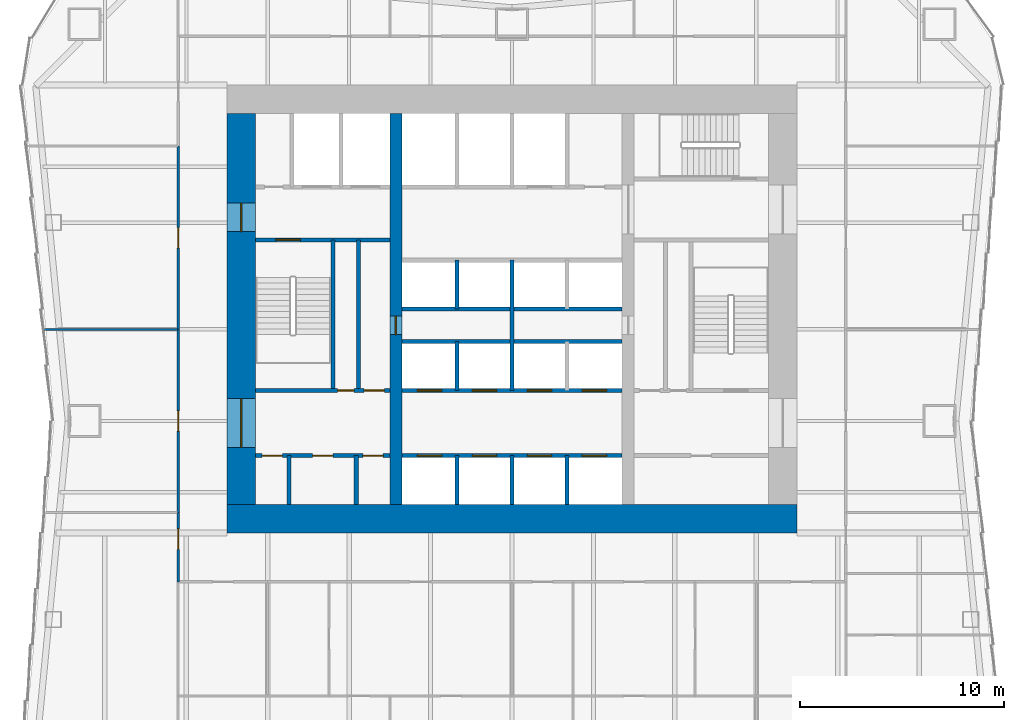
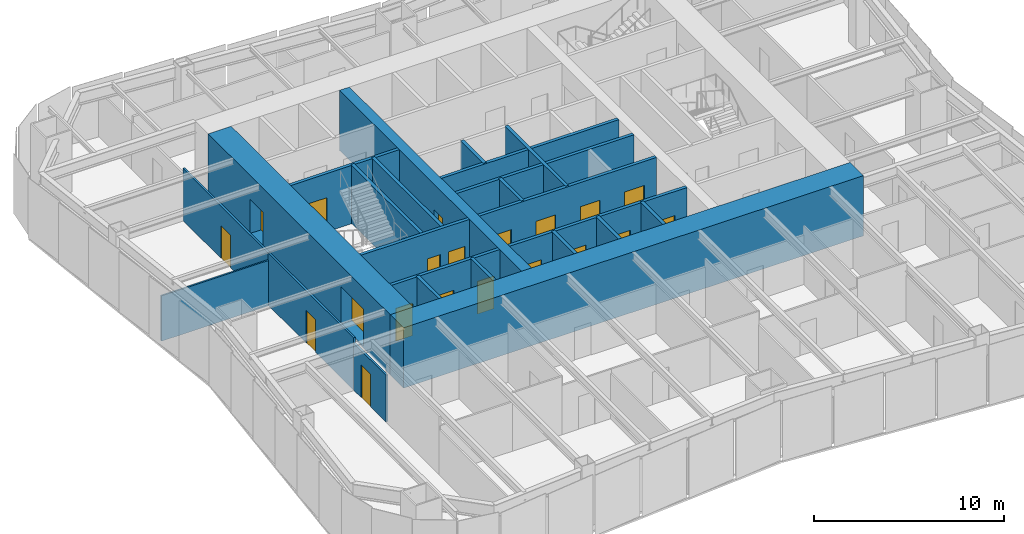
# One storey, part 4 of 7: 24 walls, 20 doors, 20 openings.
"""IFC4 building model written with IfcOpenShell, lengths in metres."""

from ifc_helpers import new_model, si_unit, direction, frame, frame_2d, origin, place, context, subcontext, project, spatial, rectangle, extrude, material, layer, layer_set, type_object, element, fill, save


model = new_model("IFC4")

# Units and contexts
model_context = context("Model", 3, precision=1e-05, world=origin(), true_north=direction((0.0, 1.0)))
body_context = subcontext(model_context, "Body", "Model", "MODEL_VIEW")
ifc_project = project(units=[si_unit("LENGTHUNIT", "METRE"), si_unit("AREAUNIT", "SQUARE_METRE"), si_unit("VOLUMEUNIT", "CUBIC_METRE"), si_unit("PLANEANGLEUNIT", "RADIAN"), si_unit("MASSUNIT", "GRAM", prefix="KILO")], contexts=[model_context])

# Site, building, storey
site_placement = place(None, origin())
site = spatial("IfcSite", under=ifc_project, at=site_placement, CompositionType="ELEMENT")
building_placement = place(site_placement, origin())
building = spatial("IfcBuilding", under=site, at=building_placement, Name="Verdant Reach Tower", CompositionType="ELEMENT")
storey_placement = place(building_placement, frame((0.0, 0.0, 54.0)))
storey = spatial("IfcBuildingStorey", under=building, at=storey_placement, Name="L12", CompositionType="ELEMENT", Elevation=54.0)

# Wall, openings, doors
ifc_material_1 = material(Name="Gypsum board on steel studs", Category="steel")
ifc_layer_1 = layer(ifc_material_1, 0.199951171875)
ifc_layer_set_1 = layer_set([ifc_layer_1], Name="CO-WALL-ROOM")
wall_type_1 = type_object("IfcWallType", Name="CO-WALL-ROOM", PredefinedType="PARTITIONING", material=ifc_layer_set_1)
wall_1_placement = place(storey_placement, frame((-12.60009765625, 20.800048828125, 0.0), z_axis=(0.0, 0.0, 1.0), x_axis=(1.0, 0.0, 0.0)))
wall_1 = element("IfcWall", 1, at=wall_1_placement, inside=storey, type_object=wall_type_1, Name="Core partition, L12", PredefinedType="PARTITIONING", context=body_context, shape_type="SweptSolid", body=[
    extrude(rectangle(XDim=6.60009765625, YDim=0.199951171875, at=frame_2d((3.300048828125, 0.0))), origin(), (0.0, 0.0, 1.0), 3.75),
])
opening_1_placement = place(wall_1_placement, frame((0.324951171875, 0.0, 0.0)))
opening_1 = element("IfcOpeningElement", 2, at=opening_1_placement, cuts=wall_1, Name="Opening CD", PredefinedType="OPENING", context=body_context, shape_type="SweptSolid", body=[
    extrude(rectangle(XDim=1.0, YDim=2.10009765625, at=frame_2d((0.5, 1.050048828125))), frame((0.0, 0.10986328125, 0.0), z_axis=(0.0, -1.0, 0.0), x_axis=(1.0, 0.0, 0.0)), (0.0, 0.0, 1.0), 0.219970703125),
])
opening_2_placement = place(wall_1_placement, frame((2.800048828125, 0.0, 0.0)))
opening_2 = element("IfcOpeningElement", 3, at=opening_2_placement, cuts=wall_1, Name="Opening CD", PredefinedType="OPENING", context=body_context, shape_type="SweptSolid", body=[
    extrude(rectangle(XDim=1.0, YDim=2.10009765625, at=frame_2d((0.5, 1.050048828125))), frame((0.0, 0.10986328125, 0.0), z_axis=(0.0, -1.0, 0.0), x_axis=(1.0, 0.0, 0.0)), (0.0, 0.0, 1.0), 0.219970703125),
])
opening_3_placement = place(wall_1_placement, frame((5.27490234375, 0.0, 0.0)))
opening_3 = element("IfcOpeningElement", 4, at=opening_3_placement, cuts=wall_1, Name="Opening CD", PredefinedType="OPENING", context=body_context, shape_type="SweptSolid", body=[
    extrude(rectangle(XDim=1.0, YDim=2.10009765625, at=frame_2d((0.5, 1.050048828125))), frame((0.0, 0.10986328125, 0.0), z_axis=(0.0, -1.0, 0.0), x_axis=(1.0, 0.0, 0.0)), (0.0, 0.0, 1.0), 0.219970703125),
])
ifc_material_2 = material(Name="Timber", Category="wood")
door_type_1 = type_object("IfcDoorType", Name="CO-DOOR-ROOM", OperationType="NOTDEFINED", PredefinedType="DOOR", material=ifc_material_2)
door_1_placement = place(opening_1_placement, origin())
door_1 = element("IfcDoor", 5, at=door_1_placement, inside=storey, type_object=door_type_1, Name="Core room door, L12", OperationType="SINGLE_SWING_RIGHT", OverallHeight=2.10009765625, OverallWidth=1.0, PredefinedType="DOOR", context=body_context, shape_type="SweptSolid", body=[
    extrude(rectangle(XDim=1.0, YDim=2.10009765625, at=frame_2d((0.5, 1.050048828125))), frame((0.0, 0.02490234375, 0.0), z_axis=(0.0, -1.0, 0.0), x_axis=(1.0, 0.0, 0.0)), (0.0, 0.0, 1.0), 0.050048828125),
])
fill(opening_1, door_1)
door_2_placement = place(opening_2_placement, origin())
door_2 = element("IfcDoor", 6, at=door_2_placement, inside=storey, type_object=door_type_1, Name="Core room door, L12", OperationType="SINGLE_SWING_RIGHT", OverallHeight=2.10009765625, OverallWidth=1.0, PredefinedType="DOOR", context=body_context, shape_type="SweptSolid", body=[
    extrude(rectangle(XDim=1.0, YDim=2.10009765625, at=frame_2d((0.5, 1.050048828125))), frame((0.0, 0.02490234375, 0.0), z_axis=(0.0, -1.0, 0.0), x_axis=(1.0, 0.0, 0.0)), (0.0, 0.0, 1.0), 0.050048828125),
])
fill(opening_2, door_2)
door_3_placement = place(opening_3_placement, origin())
door_3 = element("IfcDoor", 7, at=door_3_placement, inside=storey, type_object=door_type_1, Name="Core room door, L12", OperationType="SINGLE_SWING_RIGHT", OverallHeight=2.10009765625, OverallWidth=1.0, PredefinedType="DOOR", context=body_context, shape_type="SweptSolid", body=[
    extrude(rectangle(XDim=1.0, YDim=2.10009765625, at=frame_2d((0.5, 1.050048828125))), frame((0.0, 0.02490234375, 0.0), z_axis=(0.0, -1.0, 0.0), x_axis=(1.0, 0.0, 0.0)), (0.0, 0.0, 1.0), 0.050048828125),
])
fill(opening_3, door_3)

# Walls
for number, where, z_axis, x_axis, name in (
    (8, (-10.949951171875, 18.39990234375, 0.0), (0.0, 0.0, 1.0), (0.0, 1.0, 0.0), "Core partition, L12"),
    (9, (-7.64990234375, 18.39990234375, 0.0), (0.0, 0.0, 1.0), (0.0, 1.0, 0.0), "Core partition, L12"),
):
    element("IfcWall", number, at=place(storey_placement, frame(where, z_axis=z_axis, x_axis=x_axis)), inside=storey, type_object=wall_type_1, Name=name, PredefinedType="PARTITIONING", context=body_context, shape_type="SweptSolid", body=[
        extrude(rectangle(XDim=2.400146484375, YDim=0.199951171875, at=frame_2d((1.2001953125, 0.0))), origin(), (0.0, 0.0, 1.0), 3.75),
    ])
wall_2_placement = place(storey_placement, frame((-7.5400390625, 24.0, 0.0), z_axis=(0.0, 0.0, 1.0), x_axis=(0.0, 1.0, 0.0)))
element("IfcWall", 10, at=wall_2_placement, inside=storey, type_object=wall_type_1, Name="Core partition, L12", PredefinedType="PARTITIONING", context=body_context, shape_type="SweptSolid", body=[
    extrude(rectangle(XDim=7.39990234375, YDim=0.199951171875, at=frame_2d((3.699951171875, 0.0))), origin(), (0.0, 0.0, 1.0), 3.75),
])

# Wall, openings, doors
ifc_material_3 = material(Name="Concrete C40/50", Category="concrete")
ifc_layer_2 = layer(ifc_material_3, 0.199951171875)
ifc_layer_set_2 = layer_set([ifc_layer_2], Name="CO-WALL-SHAFT")
wall_type_2 = type_object("IfcWallType", Name="CO-WALL-SHAFT", PredefinedType="PARTITIONING", material=ifc_layer_set_2)
wall_3_placement = place(storey_placement, frame((-5.39990234375, 20.800048828125, 0.0), z_axis=(0.0, 0.0, 1.0), x_axis=(1.0, 0.0, 0.0)))
wall_3 = element("IfcWall", 11, at=wall_3_placement, inside=storey, type_object=wall_type_2, Name="Lift shaft wall, L12", PredefinedType="PARTITIONING", context=body_context, shape_type="SweptSolid", body=[
    extrude(rectangle(XDim=10.7998046875, YDim=0.199951171875, at=frame_2d((5.39990234375, 0.0))), origin(), (0.0, 0.0, 1.0), 3.75),
])
opening_4_placement = place(wall_3_placement, frame((0.75, 0.0, 0.0)))
opening_4 = element("IfcOpeningElement", 12, at=opening_4_placement, cuts=wall_3, Name="Opening LD-A1", PredefinedType="OPENING", context=body_context, shape_type="SweptSolid", body=[
    extrude(rectangle(XDim=1.199951171875, YDim=2.199951171875, at=frame_2d((0.60009765625, 1.10009765625))), frame((0.0, 0.10986328125, 0.0), z_axis=(0.0, -1.0, 0.0), x_axis=(1.0, 0.0, 0.0)), (0.0, 0.0, 1.0), 0.219970703125),
])
opening_5_placement = place(wall_3_placement, frame((3.449951171875, 0.0, 0.0)))
opening_5 = element("IfcOpeningElement", 13, at=opening_5_placement, cuts=wall_3, Name="Opening LD-A2", PredefinedType="OPENING", context=body_context, shape_type="SweptSolid", body=[
    extrude(rectangle(XDim=1.199951171875, YDim=2.199951171875, at=frame_2d((0.60009765625, 1.10009765625))), frame((0.0, 0.10986328125, 0.0), z_axis=(0.0, -1.0, 0.0), x_axis=(1.0, 0.0, 0.0)), (0.0, 0.0, 1.0), 0.219970703125),
])
opening_6_placement = place(wall_3_placement, frame((6.14990234375, 0.0, 0.0)))
opening_6 = element("IfcOpeningElement", 14, at=opening_6_placement, cuts=wall_3, Name="Opening LD-A3", PredefinedType="OPENING", context=body_context, shape_type="SweptSolid", body=[
    extrude(rectangle(XDim=1.199951171875, YDim=2.199951171875, at=frame_2d((0.60009765625, 1.10009765625))), frame((0.0, 0.10986328125, 0.0), z_axis=(0.0, -1.0, 0.0), x_axis=(1.0, 0.0, 0.0)), (0.0, 0.0, 1.0), 0.219970703125),
])
opening_7_placement = place(wall_3_placement, frame((8.85009765625, 0.0, 0.0)))
opening_7 = element("IfcOpeningElement", 15, at=opening_7_placement, cuts=wall_3, Name="Opening LD-A4", PredefinedType="OPENING", context=body_context, shape_type="SweptSolid", body=[
    extrude(rectangle(XDim=1.199951171875, YDim=2.199951171875, at=frame_2d((0.60009765625, 1.10009765625))), frame((0.0, 0.10986328125, 0.0), z_axis=(0.0, -1.0, 0.0), x_axis=(1.0, 0.0, 0.0)), (0.0, 0.0, 1.0), 0.219970703125),
])
ifc_material_4 = material(Name="Stainless steel", Category="steel")
door_type_2 = type_object("IfcDoorType", Name="CO-DOOR-LANDING", OperationType="SLIDING_TO_LEFT", PredefinedType="DOOR", material=ifc_material_4)
door_4_placement = place(opening_4_placement, origin())
door_4 = element("IfcDoor", 16, at=door_4_placement, inside=storey, type_object=door_type_2, Name="Landing door A1, L12", OperationType="SLIDING_TO_LEFT", OverallHeight=2.199951171875, OverallWidth=1.199951171875, PredefinedType="DOOR", context=body_context, shape_type="SweptSolid", body=[
    extrude(rectangle(XDim=1.199951171875, YDim=2.199951171875, at=frame_2d((0.60009765625, 1.10009765625))), frame((0.0, 0.02490234375, 0.0), z_axis=(0.0, -1.0, 0.0), x_axis=(1.0, 0.0, 0.0)), (0.0, 0.0, 1.0), 0.050048828125),
])
fill(opening_4, door_4)
door_5_placement = place(opening_5_placement, origin())
door_5 = element("IfcDoor", 17, at=door_5_placement, inside=storey, type_object=door_type_2, Name="Landing door A2, L12", OperationType="SLIDING_TO_LEFT", OverallHeight=2.199951171875, OverallWidth=1.199951171875, PredefinedType="DOOR", context=body_context, shape_type="SweptSolid", body=[
    extrude(rectangle(XDim=1.199951171875, YDim=2.199951171875, at=frame_2d((0.60009765625, 1.10009765625))), frame((0.0, 0.02490234375, 0.0), z_axis=(0.0, -1.0, 0.0), x_axis=(1.0, 0.0, 0.0)), (0.0, 0.0, 1.0), 0.050048828125),
])
fill(opening_5, door_5)
door_6_placement = place(opening_6_placement, origin())
door_6 = element("IfcDoor", 18, at=door_6_placement, inside=storey, type_object=door_type_2, Name="Landing door A3, L12", OperationType="SLIDING_TO_LEFT", OverallHeight=2.199951171875, OverallWidth=1.199951171875, PredefinedType="DOOR", context=body_context, shape_type="SweptSolid", body=[
    extrude(rectangle(XDim=1.199951171875, YDim=2.199951171875, at=frame_2d((0.60009765625, 1.10009765625))), frame((0.0, 0.02490234375, 0.0), z_axis=(0.0, -1.0, 0.0), x_axis=(1.0, 0.0, 0.0)), (0.0, 0.0, 1.0), 0.050048828125),
])
fill(opening_6, door_6)
door_7_placement = place(opening_7_placement, origin())
door_7 = element("IfcDoor", 19, at=door_7_placement, inside=storey, type_object=door_type_2, Name="Landing door A4, L12", OperationType="SLIDING_TO_LEFT", OverallHeight=2.199951171875, OverallWidth=1.199951171875, PredefinedType="DOOR", context=body_context, shape_type="SweptSolid", body=[
    extrude(rectangle(XDim=1.199951171875, YDim=2.199951171875, at=frame_2d((0.60009765625, 1.10009765625))), frame((0.0, 0.02490234375, 0.0), z_axis=(0.0, -1.0, 0.0), x_axis=(1.0, 0.0, 0.0)), (0.0, 0.0, 1.0), 0.050048828125),
])
fill(opening_7, door_7)

wall_4_placement = place(storey_placement, frame((-5.39990234375, 24.0, 0.0), z_axis=(0.0, 0.0, 1.0), x_axis=(1.0, 0.0, 0.0)))
wall_4 = element("IfcWall", 20, at=wall_4_placement, inside=storey, type_object=wall_type_2, Name="Lift shaft wall, L12", PredefinedType="PARTITIONING", context=body_context, shape_type="SweptSolid", body=[
    extrude(rectangle(XDim=10.7998046875, YDim=0.199951171875, at=frame_2d((5.39990234375, 0.0))), origin(), (0.0, 0.0, 1.0), 3.75),
])
opening_8_placement = place(wall_4_placement, frame((0.75, 0.0, 0.0)))
opening_8 = element("IfcOpeningElement", 21, at=opening_8_placement, cuts=wall_4, Name="Opening LD-A5", PredefinedType="OPENING", context=body_context, shape_type="SweptSolid", body=[
    extrude(rectangle(XDim=1.199951171875, YDim=2.199951171875, at=frame_2d((0.60009765625, 1.10009765625))), frame((0.0, 0.10986328125, 0.0), z_axis=(0.0, -1.0, 0.0), x_axis=(1.0, 0.0, 0.0)), (0.0, 0.0, 1.0), 0.219970703125),
])
opening_9_placement = place(wall_4_placement, frame((3.449951171875, 0.0, 0.0)))
opening_9 = element("IfcOpeningElement", 22, at=opening_9_placement, cuts=wall_4, Name="Opening LD-A6", PredefinedType="OPENING", context=body_context, shape_type="SweptSolid", body=[
    extrude(rectangle(XDim=1.199951171875, YDim=2.199951171875, at=frame_2d((0.60009765625, 1.10009765625))), frame((0.0, 0.10986328125, 0.0), z_axis=(0.0, -1.0, 0.0), x_axis=(1.0, 0.0, 0.0)), (0.0, 0.0, 1.0), 0.219970703125),
])
opening_10_placement = place(wall_4_placement, frame((6.14990234375, 0.0, 0.0)))
opening_10 = element("IfcOpeningElement", 23, at=opening_10_placement, cuts=wall_4, Name="Opening LD-A7", PredefinedType="OPENING", context=body_context, shape_type="SweptSolid", body=[
    extrude(rectangle(XDim=1.199951171875, YDim=2.199951171875, at=frame_2d((0.60009765625, 1.10009765625))), frame((0.0, 0.10986328125, 0.0), z_axis=(0.0, -1.0, 0.0), x_axis=(1.0, 0.0, 0.0)), (0.0, 0.0, 1.0), 0.219970703125),
])
opening_11_placement = place(wall_4_placement, frame((8.85009765625, 0.0, 0.0)))
opening_11 = element("IfcOpeningElement", 24, at=opening_11_placement, cuts=wall_4, Name="Opening LD-A8", PredefinedType="OPENING", context=body_context, shape_type="SweptSolid", body=[
    extrude(rectangle(XDim=1.199951171875, YDim=2.199951171875, at=frame_2d((0.60009765625, 1.10009765625))), frame((0.0, 0.10986328125, 0.0), z_axis=(0.0, -1.0, 0.0), x_axis=(1.0, 0.0, 0.0)), (0.0, 0.0, 1.0), 0.219970703125),
])
door_8_placement = place(opening_8_placement, origin())
door_8 = element("IfcDoor", 25, at=door_8_placement, inside=storey, type_object=door_type_2, Name="Landing door A5, L12", OperationType="SLIDING_TO_LEFT", OverallHeight=2.199951171875, OverallWidth=1.199951171875, PredefinedType="DOOR", context=body_context, shape_type="SweptSolid", body=[
    extrude(rectangle(XDim=1.199951171875, YDim=2.199951171875, at=frame_2d((0.60009765625, 1.10009765625))), frame((0.0, 0.02490234375, 0.0), z_axis=(0.0, -1.0, 0.0), x_axis=(1.0, 0.0, 0.0)), (0.0, 0.0, 1.0), 0.050048828125),
])
fill(opening_8, door_8)
door_9_placement = place(opening_9_placement, origin())
door_9 = element("IfcDoor", 26, at=door_9_placement, inside=storey, type_object=door_type_2, Name="Landing door A6, L12", OperationType="SLIDING_TO_LEFT", OverallHeight=2.199951171875, OverallWidth=1.199951171875, PredefinedType="DOOR", context=body_context, shape_type="SweptSolid", body=[
    extrude(rectangle(XDim=1.199951171875, YDim=2.199951171875, at=frame_2d((0.60009765625, 1.10009765625))), frame((0.0, 0.02490234375, 0.0), z_axis=(0.0, -1.0, 0.0), x_axis=(1.0, 0.0, 0.0)), (0.0, 0.0, 1.0), 0.050048828125),
])
fill(opening_9, door_9)
door_10_placement = place(opening_10_placement, origin())
door_10 = element("IfcDoor", 27, at=door_10_placement, inside=storey, type_object=door_type_2, Name="Landing door A7, L12", OperationType="SLIDING_TO_LEFT", OverallHeight=2.199951171875, OverallWidth=1.199951171875, PredefinedType="DOOR", context=body_context, shape_type="SweptSolid", body=[
    extrude(rectangle(XDim=1.199951171875, YDim=2.199951171875, at=frame_2d((0.60009765625, 1.10009765625))), frame((0.0, 0.02490234375, 0.0), z_axis=(0.0, -1.0, 0.0), x_axis=(1.0, 0.0, 0.0)), (0.0, 0.0, 1.0), 0.050048828125),
])
fill(opening_10, door_10)
door_11_placement = place(opening_11_placement, origin())
door_11 = element("IfcDoor", 28, at=door_11_placement, inside=storey, type_object=door_type_2, Name="Landing door A8, L12", OperationType="SLIDING_TO_LEFT", OverallHeight=2.199951171875, OverallWidth=1.199951171875, PredefinedType="DOOR", context=body_context, shape_type="SweptSolid", body=[
    extrude(rectangle(XDim=1.199951171875, YDim=2.199951171875, at=frame_2d((0.60009765625, 1.10009765625))), frame((0.0, 0.02490234375, 0.0), z_axis=(0.0, -1.0, 0.0), x_axis=(1.0, 0.0, 0.0)), (0.0, 0.0, 1.0), 0.050048828125),
])
fill(opening_11, door_11)

# Walls
for number, where, z_axis, x_axis, name in (
    (29, (-5.39990234375, 26.39990234375, 0.0), (0.0, 0.0, 1.0), (1.0, 0.0, 0.0), "Lift shaft wall, L12"),
    (30, (-5.39990234375, 28.0, 0.0), (0.0, 0.0, 1.0), (1.0, 0.0, 0.0), "Lift shaft wall, L12"),
):
    element("IfcWall", number, at=place(storey_placement, frame(where, z_axis=z_axis, x_axis=x_axis)), inside=storey, type_object=wall_type_2, Name=name, PredefinedType="PARTITIONING", context=body_context, shape_type="SweptSolid", body=[
        extrude(rectangle(XDim=10.7998046875, YDim=0.199951171875, at=frame_2d((5.39990234375, 0.0))), origin(), (0.0, 0.0, 1.0), 3.75),
    ])
wall_5_placement = place(storey_placement, frame((-2.699951171875, 18.39990234375, 0.0), z_axis=(0.0, 0.0, 1.0), x_axis=(0.0, 1.0, 0.0)))
element("IfcWall", 31, at=wall_5_placement, inside=storey, type_object=wall_type_2, Name="Lift shaft wall, L12", PredefinedType="PARTITIONING", context=body_context, shape_type="SweptSolid", body=[
    extrude(rectangle(XDim=2.400146484375, YDim=0.199951171875, at=frame_2d((1.2001953125, 0.0))), origin(), (0.0, 0.0, 1.0), 3.75),
])
for number, where, z_axis, x_axis, name in (
    (32, (-2.699951171875, 24.0, 0.0), (0.0, 0.0, 1.0), (0.0, 1.0, 0.0), "Lift shaft wall, L12"),
    (33, (-2.699951171875, 28.0, 0.0), (0.0, 0.0, 1.0), (0.0, 1.0, 0.0), "Lift shaft wall, L12"),
):
    element("IfcWall", number, at=place(storey_placement, frame(where, z_axis=z_axis, x_axis=x_axis)), inside=storey, type_object=wall_type_2, Name=name, PredefinedType="PARTITIONING", context=body_context, shape_type="SweptSolid", body=[
        extrude(rectangle(XDim=2.39990234375, YDim=0.199951171875, at=frame_2d((1.199951171875, 0.0))), origin(), (0.0, 0.0, 1.0), 3.75),
    ])
wall_6_placement = place(storey_placement, frame((0.0, 18.39990234375, 0.0), z_axis=(0.0, 0.0, 1.0), x_axis=(0.0, 1.0, 0.0)))
element("IfcWall", 34, at=wall_6_placement, inside=storey, type_object=wall_type_2, Name="Lift shaft wall, L12", PredefinedType="PARTITIONING", context=body_context, shape_type="SweptSolid", body=[
    extrude(rectangle(XDim=2.400146484375, YDim=0.199951171875, at=frame_2d((1.2001953125, 0.0))), origin(), (0.0, 0.0, 1.0), 3.75),
])
wall_7_placement = place(storey_placement, frame((0.0, 24.0, 0.0), z_axis=(0.0, 0.0, 1.0), x_axis=(0.0, 1.0, 0.0)))
element("IfcWall", 35, at=wall_7_placement, inside=storey, type_object=wall_type_2, Name="Lift shaft wall, L12", PredefinedType="PARTITIONING", context=body_context, shape_type="SweptSolid", body=[
    extrude(rectangle(XDim=6.39990234375, YDim=0.199951171875, at=frame_2d((3.199951171875, 0.0))), origin(), (0.0, 0.0, 1.0), 3.75),
])
wall_8_placement = place(storey_placement, frame((2.699951171875, 18.39990234375, 0.0), z_axis=(0.0, 0.0, 1.0), x_axis=(0.0, 1.0, 0.0)))
element("IfcWall", 36, at=wall_8_placement, inside=storey, type_object=wall_type_2, Name="Lift shaft wall, L12", PredefinedType="PARTITIONING", context=body_context, shape_type="SweptSolid", body=[
    extrude(rectangle(XDim=2.400146484375, YDim=0.199951171875, at=frame_2d((1.2001953125, 0.0))), origin(), (0.0, 0.0, 1.0), 3.75),
])

# Wall, openings, doors
ifc_layer_3 = layer(ifc_material_3, 0.199951171875)
ifc_layer_set_3 = layer_set([ifc_layer_3], Name="CO-WALL-STAIR")
wall_type_3 = type_object("IfcWallType", Name="CO-WALL-STAIR", PredefinedType="PARTITIONING", material=ifc_layer_set_3)
wall_9_placement = place(storey_placement, frame((-12.60009765625, 24.0, 0.0), z_axis=(0.0, 0.0, 1.0), x_axis=(1.0, 0.0, 0.0)))
wall_9 = element("IfcWall", 37, at=wall_9_placement, inside=storey, type_object=wall_type_3, Name="Stair enclosure wall, L12", PredefinedType="PARTITIONING", context=body_context, shape_type="SweptSolid", body=[
    extrude(rectangle(XDim=6.60009765625, YDim=0.199951171875, at=frame_2d((3.300048828125, 0.0))), origin(), (0.0, 0.0, 1.0), 3.75),
])
opening_12_placement = place(wall_9_placement, frame((4.030029296875, 0.0, 0.0)))
opening_12 = element("IfcOpeningElement", 38, at=opening_12_placement, cuts=wall_9, Name="Opening CDN", PredefinedType="OPENING", context=body_context, shape_type="SweptSolid", body=[
    extrude(rectangle(XDim=0.800048828125, YDim=2.10009765625, at=frame_2d((0.39990234375, 1.050048828125))), frame((0.0, 0.10986328125, 0.0), z_axis=(0.0, -1.0, 0.0), x_axis=(1.0, 0.0, 0.0)), (0.0, 0.0, 1.0), 0.219970703125),
])
opening_13_placement = place(wall_9_placement, frame((5.330078125, 0.0, 0.0)))
opening_13 = element("IfcOpeningElement", 39, at=opening_13_placement, cuts=wall_9, Name="Opening CD", PredefinedType="OPENING", context=body_context, shape_type="SweptSolid", body=[
    extrude(rectangle(XDim=1.0, YDim=2.10009765625, at=frame_2d((0.5, 1.050048828125))), frame((0.0, 0.10986328125, 0.0), z_axis=(0.0, -1.0, 0.0), x_axis=(1.0, 0.0, 0.0)), (0.0, 0.0, 1.0), 0.219970703125),
])
door_12_placement = place(opening_13_placement, origin())
door_12 = element("IfcDoor", 40, at=door_12_placement, inside=storey, type_object=door_type_1, Name="Core room door, L12", OperationType="SINGLE_SWING_LEFT", OverallHeight=2.10009765625, OverallWidth=1.0, PredefinedType="DOOR", context=body_context, shape_type="SweptSolid", body=[
    extrude(rectangle(XDim=1.0, YDim=2.10009765625, at=frame_2d((0.5, 1.050048828125))), frame((0.0, 0.02490234375, 0.0), z_axis=(0.0, -1.0, 0.0), x_axis=(1.0, 0.0, 0.0)), (0.0, 0.0, 1.0), 0.050048828125),
])
fill(opening_13, door_12)
door_type_3 = type_object("IfcDoorType", Name="CO-DOOR-ROOM-NARROW", OperationType="NOTDEFINED", PredefinedType="DOOR", material=ifc_material_2)
door_13_placement = place(opening_12_placement, origin())
door_13 = element("IfcDoor", 41, at=door_13_placement, inside=storey, type_object=door_type_3, Name="Core room door, L12", OperationType="SINGLE_SWING_RIGHT", OverallHeight=2.10009765625, OverallWidth=0.800048828125, PredefinedType="DOOR", context=body_context, shape_type="SweptSolid", body=[
    extrude(rectangle(XDim=0.800048828125, YDim=2.10009765625, at=frame_2d((0.39990234375, 1.050048828125))), frame((0.0, 0.02490234375, 0.0), z_axis=(0.0, -1.0, 0.0), x_axis=(1.0, 0.0, 0.0)), (0.0, 0.0, 1.0), 0.050048828125),
])
fill(opening_12, door_13)

# Wall, opening, door
wall_10_placement = place(storey_placement, frame((-12.60009765625, 31.39990234375, 0.0), z_axis=(0.0, 0.0, 1.0), x_axis=(1.0, 0.0, 0.0)))
wall_10 = element("IfcWall", 42, at=wall_10_placement, inside=storey, type_object=wall_type_3, Name="Stair enclosure wall, L12", PredefinedType="PARTITIONING", context=body_context, shape_type="SweptSolid", body=[
    extrude(rectangle(XDim=6.60009765625, YDim=0.199951171875, at=frame_2d((3.300048828125, 0.0))), origin(), (0.0, 0.0, 1.0), 3.75),
])
opening_14_placement = place(wall_10_placement, frame((1.0, 0.0, 0.0)))
opening_14 = element("IfcOpeningElement", 43, at=opening_14_placement, cuts=wall_10, Name="Opening SD", PredefinedType="OPENING", context=body_context, shape_type="SweptSolid", body=[
    extrude(rectangle(XDim=1.199951171875, YDim=2.199951171875, at=frame_2d((0.60009765625, 1.10009765625))), frame((0.0, 0.10986328125, 0.0), z_axis=(0.0, -1.0, 0.0), x_axis=(1.0, 0.0, 0.0)), (0.0, 0.0, 1.0), 0.219970703125),
])
ifc_material_5 = material(Name="Steel", Category="steel")
door_type_4 = type_object("IfcDoorType", Name="CO-DOOR-STAIR", OperationType="NOTDEFINED", PredefinedType="DOOR", material=ifc_material_5)
door_14_placement = place(opening_14_placement, origin())
door_14 = element("IfcDoor", 44, at=door_14_placement, inside=storey, type_object=door_type_4, Name="Stair door, L12", OperationType="SINGLE_SWING_LEFT", OverallHeight=2.199951171875, OverallWidth=1.199951171875, PredefinedType="DOOR", context=body_context, shape_type="SweptSolid", body=[
    extrude(rectangle(XDim=1.199951171875, YDim=2.199951171875, at=frame_2d((0.60009765625, 1.10009765625))), frame((0.0, 0.02490234375, 0.0), z_axis=(0.0, -1.0, 0.0), x_axis=(1.0, 0.0, 0.0)), (0.0, 0.0, 1.0), 0.050048828125),
])
fill(opening_14, door_14)

# Walls
wall_11_placement = place(storey_placement, frame((-8.800048828125, 24.0, 0.0), z_axis=(0.0, 0.0, 1.0), x_axis=(0.0, 1.0, 0.0)))
element("IfcWall", 45, at=wall_11_placement, inside=storey, type_object=wall_type_3, Name="Stair enclosure wall, L12", PredefinedType="PARTITIONING", context=body_context, shape_type="SweptSolid", body=[
    extrude(rectangle(XDim=7.39990234375, YDim=0.199951171875, at=frame_2d((3.699951171875, 0.0))), origin(), (0.0, 0.0, 1.0), 3.75),
])
ifc_layer_4 = layer(ifc_material_1, 0.10009765625)
ifc_layer_set_4 = layer_set([ifc_layer_4], Name="FL-W1 Partition 100")
wall_type_4 = type_object("IfcWallType", Name="FL-W1 Partition 100", PredefinedType="PARTITIONING", material=ifc_layer_set_4)
wall_12_placement = place(storey_placement, frame((-16.39990234375, 27.0, 0.0), z_axis=(0.0, 0.0, 1.0), x_axis=(-1.0, 0.0, 0.0)))
element("IfcWall", 46, at=wall_12_placement, inside=storey, type_object=wall_type_4, Name="Partition 12.47", PredefinedType="PARTITIONING", context=body_context, shape_type="SweptSolid", body=[
    extrude(rectangle(XDim=6.589111328125, YDim=0.10009765625, at=frame_2d((3.29443359375, 0.0))), origin(), (0.0, 0.0, 1.0), 2.919921875),
])

# Wall, opening, door
ifc_material_6 = material(Name="Gypsum board on steel studs, fire rated", Category="steel")
ifc_layer_5 = layer(ifc_material_6, 0.125)
ifc_layer_set_5 = layer_set([ifc_layer_5], Name="FL-W2 Corridor wall 125")
wall_type_5 = type_object("IfcWallType", Name="FL-W2 Corridor wall 125", PredefinedType="PARTITIONING", material=ifc_layer_set_5)
wall_13_placement = place(storey_placement, frame((-16.39990234375, 14.595947265625, 0.0), z_axis=(0.0, 0.0, 1.0), x_axis=(0.0, 1.0, 0.0)))
wall_13 = element("IfcWall", 47, at=wall_13_placement, inside=storey, type_object=wall_type_5, Name="Partition 12.11", PredefinedType="PARTITIONING", context=body_context, shape_type="SweptSolid", body=[
    extrude(rectangle(XDim=3.404052734375, YDim=0.125, at=frame_2d((1.7021484375, 0.0))), origin(), (0.0, 0.0, 1.0), 3.02001953125),
])
opening_15_placement = place(wall_13_placement, frame((1.60205078125, 0.0, 0.0)))
opening_15 = element("IfcOpeningElement", 48, at=opening_15_placement, cuts=wall_13, Name="Opening D2", PredefinedType="OPENING", context=body_context, shape_type="SweptSolid", body=[
    extrude(rectangle(XDim=1.0, YDim=2.10009765625, at=frame_2d((0.5, 1.050048828125))), frame((0.0, 0.072509765625, 0.0), z_axis=(0.0, -1.0, 0.0), x_axis=(1.0, 0.0, 0.0)), (0.0, 0.0, 1.0), 0.14501953125),
])
ifc_material_7 = material(Name="Timber door leaf, fire rated", Category="wood")
door_type_5 = type_object("IfcDoorType", Name="FL-D2 Entrance door 1000x2100 FD30", OperationType="NOTDEFINED", PredefinedType="DOOR", material=ifc_material_7)
door_15_placement = place(opening_15_placement, origin())
door_15 = element("IfcDoor", 49, at=door_15_placement, inside=storey, type_object=door_type_5, Name="Door 12-009", OperationType="SINGLE_SWING_RIGHT", OverallHeight=2.10009765625, OverallWidth=1.0, PredefinedType="DOOR", context=body_context, shape_type="SweptSolid", body=[
    extrude(rectangle(XDim=1.0, YDim=2.10009765625, at=frame_2d((0.5, 1.050048828125))), frame((0.0, 0.02490234375, 0.0), z_axis=(0.0, -1.0, 0.0), x_axis=(1.0, 0.0, 0.0)), (0.0, 0.0, 1.0), 0.050048828125),
])
fill(opening_15, door_15)

wall_14_placement = place(storey_placement, frame((-16.39990234375, 18.0, 0.0), z_axis=(0.0, 0.0, 1.0), x_axis=(0.0, 1.0, 0.0)))
wall_14 = element("IfcWall", 50, at=wall_14_placement, inside=storey, type_object=wall_type_5, Name="Partition 12.12", PredefinedType="PARTITIONING", context=body_context, shape_type="SweptSolid", body=[
    extrude(rectangle(XDim=9.0, YDim=0.125, at=frame_2d((4.5, 0.0))), origin(), (0.0, 0.0, 1.0), 3.360107421875),
])
opening_16_placement = place(wall_14_placement, frame((4.0, 0.0, 0.0)))
opening_16 = element("IfcOpeningElement", 51, at=opening_16_placement, cuts=wall_14, Name="Opening D2", PredefinedType="OPENING", context=body_context, shape_type="SweptSolid", body=[
    extrude(rectangle(XDim=1.0, YDim=2.10009765625, at=frame_2d((0.5, 1.050048828125))), frame((0.0, 0.072509765625, 0.0), z_axis=(0.0, -1.0, 0.0), x_axis=(1.0, 0.0, 0.0)), (0.0, 0.0, 1.0), 0.14501953125),
])
door_16_placement = place(opening_16_placement, origin())
door_16 = element("IfcDoor", 52, at=door_16_placement, inside=storey, type_object=door_type_5, Name="Door 12-010", OperationType="SINGLE_SWING_RIGHT", OverallHeight=2.10009765625, OverallWidth=1.0, PredefinedType="DOOR", context=body_context, shape_type="SweptSolid", body=[
    extrude(rectangle(XDim=1.0, YDim=2.10009765625, at=frame_2d((0.5, 1.050048828125))), frame((0.0, 0.02490234375, 0.0), z_axis=(0.0, -1.0, 0.0), x_axis=(1.0, 0.0, 0.0)), (0.0, 0.0, 1.0), 0.050048828125),
])
fill(opening_16, door_16)

wall_15_placement = place(storey_placement, frame((-16.39990234375, 27.0, 0.0), z_axis=(0.0, 0.0, 1.0), x_axis=(0.0, 1.0, 0.0)))
wall_15 = element("IfcWall", 53, at=wall_15_placement, inside=storey, type_object=wall_type_5, Name="Partition 12.13", PredefinedType="PARTITIONING", context=body_context, shape_type="SweptSolid", body=[
    extrude(rectangle(XDim=9.0, YDim=0.125, at=frame_2d((4.5, 0.0))), origin(), (0.0, 0.0, 1.0), 3.360107421875),
])
opening_17_placement = place(wall_15_placement, frame((4.0, 0.0, 0.0)))
opening_17 = element("IfcOpeningElement", 54, at=opening_17_placement, cuts=wall_15, Name="Opening D2", PredefinedType="OPENING", context=body_context, shape_type="SweptSolid", body=[
    extrude(rectangle(XDim=1.0, YDim=2.10009765625, at=frame_2d((0.5, 1.050048828125))), frame((0.0, 0.072509765625, 0.0), z_axis=(0.0, -1.0, 0.0), x_axis=(1.0, 0.0, 0.0)), (0.0, 0.0, 1.0), 0.14501953125),
])
door_17_placement = place(opening_17_placement, origin())
door_17 = element("IfcDoor", 55, at=door_17_placement, inside=storey, type_object=door_type_5, Name="Door 12-011", OperationType="SINGLE_SWING_LEFT", OverallHeight=2.10009765625, OverallWidth=1.0, PredefinedType="DOOR", context=body_context, shape_type="SweptSolid", body=[
    extrude(rectangle(XDim=1.0, YDim=2.10009765625, at=frame_2d((0.5, 1.050048828125))), frame((0.0, 0.02490234375, 0.0), z_axis=(0.0, -1.0, 0.0), x_axis=(1.0, 0.0, 0.0)), (0.0, 0.0, 1.0), 0.050048828125),
])
fill(opening_17, door_17)

# Wall
ifc_material_8 = material(Name="Concrete C70/85", Category="concrete")
ifc_layer_6 = layer(ifc_material_8, 1.39990234375)
ifc_layer_set_6 = layer_set([ifc_layer_6], Name="ST-CORE-WALL-1400")
wall_type_6 = type_object("IfcWallType", Name="ST-CORE-WALL-1400", PredefinedType="SHEAR", material=ifc_layer_set_6)
wall_16_placement = place(storey_placement, frame((-14.0, 17.699951171875, -0.1298828125), z_axis=(0.0, 0.0, 1.0), x_axis=(1.0, 0.0, 0.0)))
element("IfcWall", 56, at=wall_16_placement, inside=storey, type_object=wall_type_6, Name="Core wall S, L12", PredefinedType="SHEAR", context=body_context, shape_type="SweptSolid", body=[
    extrude(rectangle(XDim=28.0, YDim=1.39990234375, at=frame_2d((14.0, 0.0))), origin(), (0.0, 0.0, 1.0), 3.8798828125),
])

# Wall, openings, doors
wall_17_placement = place(storey_placement, frame((-13.300048828125, 18.39990234375, -0.1298828125), z_axis=(0.0, 0.0, 1.0), x_axis=(0.0, 1.0, 0.0)))
wall_17 = element("IfcWall", 57, at=wall_17_placement, inside=storey, type_object=wall_type_6, Name="Core wall W, L12", PredefinedType="SHEAR", context=body_context, shape_type="SweptSolid", body=[
    extrude(rectangle(XDim=19.2001953125, YDim=1.39990234375, at=frame_2d((9.60009765625, 0.0))), origin(), (0.0, 0.0, 1.0), 3.8798828125),
])
opening_18_placement = place(wall_17_placement, frame((2.800048828125, 0.0, 0.1298828125)))
opening_18 = element("IfcOpeningElement", 58, at=opening_18_placement, cuts=wall_17, Name="Opening LB", PredefinedType="OPENING", context=body_context, shape_type="SweptSolid", body=[
    extrude(rectangle(XDim=2.39990234375, YDim=2.39990234375, at=frame_2d((1.199951171875, 1.199951171875))), frame((0.0, 0.7099609375, 0.0), z_axis=(0.0, -1.0, 0.0), x_axis=(1.0, 0.0, 0.0)), (0.0, 0.0, 1.0), 1.419921875),
])
opening_19_placement = place(wall_17_placement, frame((13.39990234375, 0.0, 0.1298828125)))
opening_19 = element("IfcOpeningElement", 59, at=opening_19_placement, cuts=wall_17, Name="Opening FL", PredefinedType="OPENING", context=body_context, shape_type="SweptSolid", body=[
    extrude(rectangle(XDim=1.39990234375, YDim=2.199951171875, at=frame_2d((0.699951171875, 1.10009765625))), frame((0.0, 0.7099609375, 0.0), z_axis=(0.0, -1.0, 0.0), x_axis=(1.0, 0.0, 0.0)), (0.0, 0.0, 1.0), 1.419921875),
])
door_type_6 = type_object("IfcDoorType", Name="CO-DOOR-FFL", OperationType="NOTDEFINED", PredefinedType="DOOR", material=ifc_material_5)
door_18_placement = place(opening_19_placement, origin())
door_18 = element("IfcDoor", 60, at=door_18_placement, inside=storey, type_object=door_type_6, Name="Core entrance door, L12", OperationType="SINGLE_SWING_LEFT", OverallHeight=2.199951171875, OverallWidth=1.39990234375, PredefinedType="DOOR", context=body_context, shape_type="SweptSolid", body=[
    extrude(rectangle(XDim=1.39990234375, YDim=2.199951171875, at=frame_2d((0.699951171875, 1.10009765625))), frame((0.0, 0.02490234375, 0.0), z_axis=(0.0, -1.0, 0.0), x_axis=(1.0, 0.0, 0.0)), (0.0, 0.0, 1.0), 0.050048828125),
])
fill(opening_19, door_18)
ifc_material_9 = material(Name="Glass and steel", Category="steel")
door_type_7 = type_object("IfcDoorType", Name="CO-DOOR-LOBBY", OperationType="DOUBLE_DOOR_SINGLE_SWING", PredefinedType="DOOR", material=ifc_material_9)
door_19_placement = place(opening_18_placement, origin())
door_19 = element("IfcDoor", 61, at=door_19_placement, inside=storey, type_object=door_type_7, Name="Core entrance door, L12", OperationType="DOUBLE_DOOR_SINGLE_SWING", OverallHeight=2.39990234375, OverallWidth=2.39990234375, PredefinedType="DOOR", context=body_context, shape_type="SweptSolid", body=[
    extrude(rectangle(XDim=2.39990234375, YDim=2.39990234375, at=frame_2d((1.199951171875, 1.199951171875))), frame((0.0, 0.02490234375, 0.0), z_axis=(0.0, -1.0, 0.0), x_axis=(1.0, 0.0, 0.0)), (0.0, 0.0, 1.0), 0.050048828125),
])
fill(opening_18, door_19)

# Wall, opening, door
ifc_layer_7 = layer(ifc_material_8, 0.60009765625)
ifc_layer_set_7 = layer_set([ifc_layer_7], Name="ST-CORE-WALL-600")
wall_type_7 = type_object("IfcWallType", Name="ST-CORE-WALL-600", PredefinedType="SHEAR", material=ifc_layer_set_7)
wall_18_placement = place(storey_placement, frame((-5.699951171875, 18.39990234375, -0.1298828125), z_axis=(0.0, 0.0, 1.0), x_axis=(0.0, 1.0, 0.0)))
wall_18 = element("IfcWall", 62, at=wall_18_placement, inside=storey, type_object=wall_type_7, Name="Core wall XW, L12", PredefinedType="SHEAR", context=body_context, shape_type="SweptSolid", body=[
    extrude(rectangle(XDim=19.2001953125, YDim=0.60009765625, at=frame_2d((9.60009765625, 0.0))), origin(), (0.0, 0.0, 1.0), 3.8798828125),
])
opening_20_placement = place(wall_18_placement, frame((8.35009765625, 0.0, 0.1298828125)))
opening_20 = element("IfcOpeningElement", 63, at=opening_20_placement, cuts=wall_18, Name="Opening RD", PredefinedType="OPENING", context=body_context, shape_type="SweptSolid", body=[
    extrude(rectangle(XDim=0.89990234375, YDim=2.10009765625, at=frame_2d((0.449951171875, 1.050048828125))), frame((0.0, 0.31005859375, 0.0), z_axis=(0.0, -1.0, 0.0), x_axis=(1.0, 0.0, 0.0)), (0.0, 0.0, 1.0), 0.6201171875),
])
door_type_8 = type_object("IfcDoorType", Name="CO-DOOR-RISER", OperationType="NOTDEFINED", PredefinedType="DOOR", material=ifc_material_5)
door_20_placement = place(opening_20_placement, origin())
door_20 = element("IfcDoor", 64, at=door_20_placement, inside=storey, type_object=door_type_8, Name="Riser door, L12", OperationType="SINGLE_SWING_RIGHT", OverallHeight=2.10009765625, OverallWidth=0.89990234375, PredefinedType="DOOR", context=body_context, shape_type="SweptSolid", body=[
    extrude(rectangle(XDim=0.89990234375, YDim=2.10009765625, at=frame_2d((0.449951171875, 1.050048828125))), frame((0.0, 0.02490234375, 0.0), z_axis=(0.0, -1.0, 0.0), x_axis=(1.0, 0.0, 0.0)), (0.0, 0.0, 1.0), 0.050048828125),
])
fill(opening_20, door_20)

save(model, "model.ifc")
